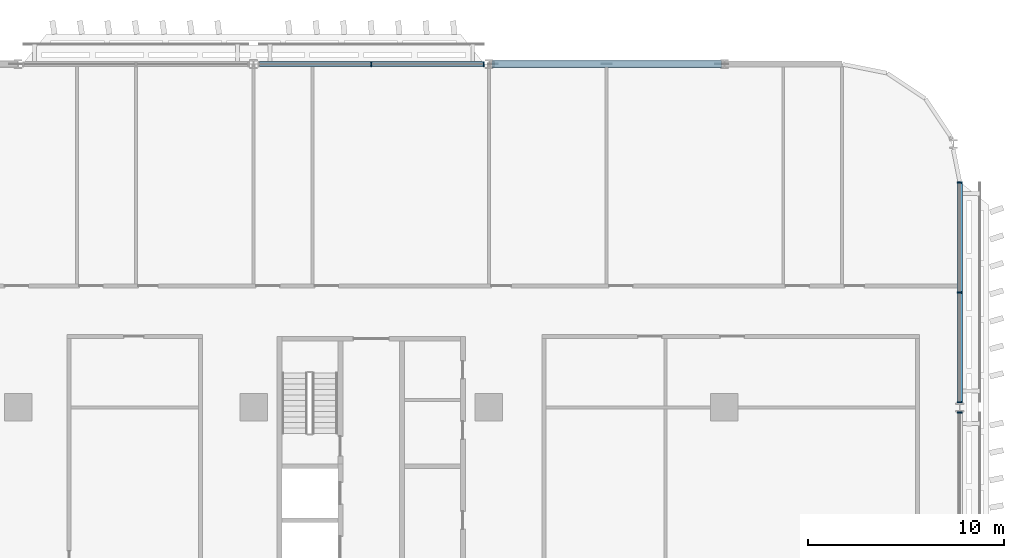
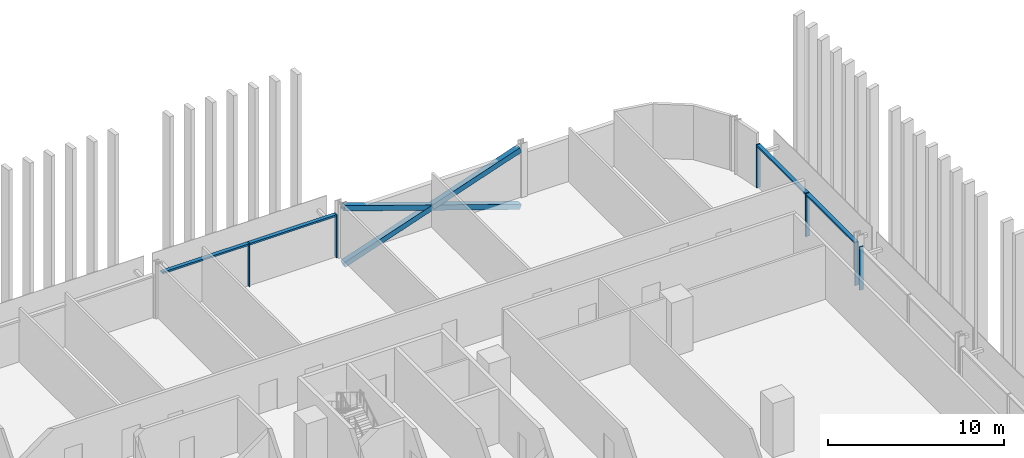
# One storey, part 8 of 31: 13 members, 3 elements without a shape of their own.
"""IFC4 building model written with IfcOpenShell, lengths in metres."""

from ifc_helpers import new_model, si_unit, direction, frame, origin, origin_2d, place, context, subcontext, project, spatial, rectangle, hollow_rectangle, extrude, material, material_profile, profile_set, type_object, element, aggregate, save


model = new_model("IFC4")

# Units and contexts
model_context = context("Model", 3, precision=1e-05, world=origin(), true_north=direction((0.0, 1.0)))
body_context = subcontext(model_context, "Body", "Model", "MODEL_VIEW")
ifc_project = project(units=[si_unit("LENGTHUNIT", "METRE"), si_unit("AREAUNIT", "SQUARE_METRE"), si_unit("VOLUMEUNIT", "CUBIC_METRE"), si_unit("PLANEANGLEUNIT", "RADIAN"), si_unit("MASSUNIT", "GRAM", prefix="KILO")], contexts=[model_context])

# Site, building, storey
site_placement = place(None, origin())
site = spatial("IfcSite", under=ifc_project, at=site_placement, CompositionType="ELEMENT")
building_placement = place(site_placement, origin())
building = spatial("IfcBuilding", under=site, at=building_placement, Name="Mahtab Terrace Research Tower", CompositionType="ELEMENT")
storey_placement = place(building_placement, frame((0.0, 0.0, 84.800048828125)))
storey = spatial("IfcBuildingStorey", under=building, at=storey_placement, Name="L19", CompositionType="ELEMENT", Elevation=84.800048828125)

# Members
ifc_material_1 = material(Name="Steel ASTM A500 Gr C", Category="steel")
ifc_material_profile_1 = material_profile(ifc_material_1, hollow_rectangle(XDim=0.355712890625, YDim=0.355712890625, WallThickness=0.01904296875, at=origin_2d()), Name="HSS14X14X3/4")
ifc_profile_set_1 = profile_set([ifc_material_profile_1], Name="Steel ASTM A500 Gr C")
member_type_1 = type_object("IfcMemberType", Name="HSS 14x14x3/4 brace XB141434", PredefinedType="BRACE", material=ifc_profile_set_1)
member_1_placement = place(storey_placement, frame((41.79052734375, 29.0, -0.64697265625), z_axis=(-0.946292853795, 0.0, 0.323310740397), x_axis=(0.0, -1.0, 0.0)))
element("IfcMember", 1, at=member_1_placement, inside=storey, type_object=member_type_1, Name="Exoskeleton brace L19 02 a", PredefinedType="BRACE", context=body_context, shape_type="SweptSolid", body=[
    extrude(hollow_rectangle(XDim=0.355712890625, YDim=0.355712890625, WallThickness=0.01904296875, at=origin_2d()), origin(), (0.0, 0.0, 1.0), 12.23828125),
])
for number, where, z_axis, x_axis, name in (
    (2, (30.20947265625, 29.0, -0.64697265625), (0.946286750388, 0.0, 0.323328603809), (0.0, 1.0, 0.0), "Exoskeleton brace L19 02 b1"),
    (3, (36.0, 29.0, 1.33154296875), (0.946298956945, 0.0, 0.323292876639), (0.0, 1.0, 0.0), "Exoskeleton brace L19 02 b2"),
):
    element("IfcMember", number, at=place(storey_placement, frame(where, z_axis=z_axis, x_axis=x_axis)), inside=storey, type_object=member_type_1, Name=name, PredefinedType="BRACE", context=body_context, shape_type="SweptSolid", body=[
        extrude(hollow_rectangle(XDim=0.355712890625, YDim=0.355712890625, WallThickness=0.01904296875, at=origin_2d()), origin(), (0.0, 0.0, 1.0), 6.119140625),
    ])

# Curtain wall, members
ifc_material_2 = material(Name="Sky lounge full-height curtain wall")
curtain_wall_type = type_object("IfcCurtainWallType", Name="Sky lounge full-height curtain wall", PredefinedType="NOTDEFINED", material=ifc_material_2)
curtain_wall_1_placement = place(storey_placement, origin())
curtain_wall_1 = element("IfcCurtainWall", 4, at=curtain_wall_1_placement, inside=storey, type_object=curtain_wall_type, Name="EN.L19.3.5", PredefinedType="NOTDEFINED")
ifc_material_3 = material(Name="Natural anodised aluminium", Category="aluminium")
ifc_material_profile_2 = material_profile(ifc_material_3, rectangle(XDim=0.25, YDim=0.070068359375, at=origin_2d()), Name="MULLION 70x250")
ifc_profile_set_2 = profile_set([ifc_material_profile_2], Name="Natural anodised aluminium")
member_type_2 = type_object("IfcMemberType", Name="Sky lounge full-height curtain wall mullion", PredefinedType="MULLION", material=ifc_profile_set_2)
member_2_placement = place(storey_placement, frame((29.737060546875, 29.0, 0.0), z_axis=(0.0, 0.0, 1.0), x_axis=(0.0, -1.0, 0.0)))
member_2 = element("IfcMember", 5, at=member_2_placement, type_object=member_type_2, Name="CWS-3 mullion 1", PredefinedType="MULLION", context=body_context, shape_type="SweptSolid", body=[
    extrude(rectangle(XDim=0.25, YDim=0.070068359375, at=origin_2d()), origin(), (0.0, 0.0, 1.0), 3.0029296875),
])
member_3_placement = place(storey_placement, frame((24.0, 29.0, 0.0), z_axis=(0.0, 0.0, 1.0), x_axis=(0.0, -1.0, 0.0)))
member_3 = element("IfcMember", 6, at=member_3_placement, type_object=member_type_2, Name="CWS-3 mullion 2", PredefinedType="MULLION", context=body_context, shape_type="SweptSolid", body=[
    extrude(rectangle(XDim=0.25, YDim=0.070068359375, at=origin_2d()), origin(), (0.0, 0.0, 1.0), 3.0029296875),
])

# Curtain wall, member
curtain_wall_2_placement = place(storey_placement, origin())
curtain_wall_2 = element("IfcCurtainWall", 7, at=curtain_wall_2_placement, inside=storey, type_object=curtain_wall_type, Name="EN.L19.18.37", PredefinedType="NOTDEFINED")
member_4_placement = place(storey_placement, frame((54.0, 11.237060546875, 0.0), z_axis=(0.0, 0.0, 1.0), x_axis=(-1.0, 0.0, 0.0)))
member_4 = element("IfcMember", 8, at=member_4_placement, type_object=member_type_2, Name="CWS-3 mullion 3", PredefinedType="MULLION", context=body_context, shape_type="SweptSolid", body=[
    extrude(rectangle(XDim=0.25, YDim=0.070068359375, at=origin_2d()), origin(), (0.0, 0.0, 1.0), 3.0029296875),
])
aggregate(curtain_wall_2, [member_4])

# Curtain wall, members
curtain_wall_3_placement = place(storey_placement, origin())
curtain_wall_3 = element("IfcCurtainWall", 9, at=curtain_wall_3_placement, inside=storey, type_object=curtain_wall_type, Name="EN.L19.18.38", PredefinedType="NOTDEFINED")
member_5_placement = place(storey_placement, frame((54.0, 11.762939453125, 0.0), z_axis=(0.0, 0.0, 1.0), x_axis=(-1.0, 0.0, 0.0)))
member_5 = element("IfcMember", 10, at=member_5_placement, type_object=member_type_2, Name="CWS-3 mullion 1", PredefinedType="MULLION", context=body_context, shape_type="SweptSolid", body=[
    extrude(rectangle(XDim=0.25, YDim=0.070068359375, at=origin_2d()), origin(), (0.0, 0.0, 1.0), 3.0029296875),
])
member_6_placement = place(storey_placement, frame((54.0, 17.364013671875, 0.0), z_axis=(0.0, 0.0, 1.0), x_axis=(-1.0, 0.0, 0.0)))
member_6 = element("IfcMember", 11, at=member_6_placement, type_object=member_type_2, Name="CWS-3 mullion 2", PredefinedType="MULLION", context=body_context, shape_type="SweptSolid", body=[
    extrude(rectangle(XDim=0.25, YDim=0.070068359375, at=origin_2d()), origin(), (0.0, 0.0, 1.0), 3.0029296875),
])
member_7_placement = place(storey_placement, frame((54.0, 22.965087890625, 0.0), z_axis=(0.0, 0.0, 1.0), x_axis=(-1.0, 0.0, 0.0)))
member_7 = element("IfcMember", 12, at=member_7_placement, type_object=member_type_2, Name="CWS-3 mullion 3", PredefinedType="MULLION", context=body_context, shape_type="SweptSolid", body=[
    extrude(rectangle(XDim=0.25, YDim=0.070068359375, at=origin_2d()), origin(), (0.0, 0.0, 1.0), 3.0029296875),
])

# Member
ifc_material_profile_3 = material_profile(ifc_material_3, rectangle(XDim=0.25, YDim=0.1201171875, at=origin_2d()), Name="TRANSOM 120x250")
ifc_profile_set_3 = profile_set([ifc_material_profile_3], Name="Natural anodised aluminium")
member_type_3 = type_object("IfcMemberType", Name="Sky lounge full-height curtain wall transom", PredefinedType="USERDEFINED", material=ifc_profile_set_3)
member_8_placement = place(storey_placement, frame((29.701904296875, 29.0, 2.943115234375), z_axis=(-1.0, 0.0, 0.0), x_axis=(0.0, -1.0, 0.0)))
member_8 = element("IfcMember", 13, at=member_8_placement, type_object=member_type_3, Name="CWS-3 transom 1", ObjectType="TRANSOM", PredefinedType="USERDEFINED", context=body_context, shape_type="SweptSolid", body=[
    extrude(rectangle(XDim=0.25, YDim=0.1201171875, at=origin_2d()), origin(), (0.0, 0.0, 1.0), 5.6669921875),
])

member_9_placement = place(storey_placement, frame((23.965087890625, 29.0, 2.943115234375), z_axis=(-1.0, 0.0, 0.0), x_axis=(0.0, -1.0, 0.0)))
member_9 = element("IfcMember", 14, at=member_9_placement, type_object=member_type_3, Name="CWS-3 transom 2", ObjectType="TRANSOM", PredefinedType="USERDEFINED", context=body_context, shape_type="SweptSolid", body=[
    extrude(rectangle(XDim=0.25, YDim=0.1201171875, at=origin_2d()), origin(), (0.0, 0.0, 1.0), 5.6669921875),
])

aggregate(curtain_wall_1, [member_2, member_3, member_8, member_9])

member_10_placement = place(storey_placement, frame((54.0, 11.798095703125, 2.943115234375), z_axis=(0.0, 1.0, 0.0), x_axis=(-1.0, 0.0, 0.0)))
member_10 = element("IfcMember", 15, at=member_10_placement, type_object=member_type_3, Name="CWS-3 transom 1", ObjectType="TRANSOM", PredefinedType="USERDEFINED", context=body_context, shape_type="SweptSolid", body=[
    extrude(rectangle(XDim=0.25, YDim=0.1201171875, at=origin_2d()), origin(), (0.0, 0.0, 1.0), 5.531005859375),
])

member_11_placement = place(storey_placement, frame((54.0, 17.39892578125, 2.943115234375), z_axis=(0.0, 1.0, 0.0), x_axis=(-1.0, 0.0, 0.0)))
member_11 = element("IfcMember", 16, at=member_11_placement, type_object=member_type_3, Name="CWS-3 transom 2", ObjectType="TRANSOM", PredefinedType="USERDEFINED", context=body_context, shape_type="SweptSolid", body=[
    extrude(rectangle(XDim=0.25, YDim=0.1201171875, at=origin_2d()), origin(), (0.0, 0.0, 1.0), 5.531005859375),
])

aggregate(curtain_wall_3, [member_5, member_6, member_7, member_10, member_11])

save(model, "model.ifc")
